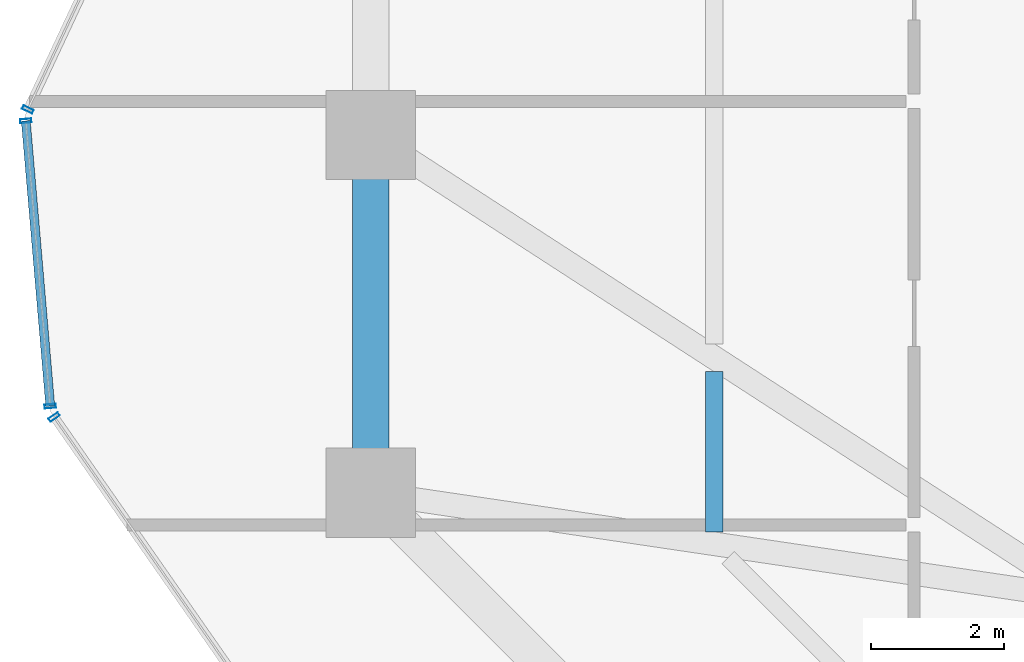
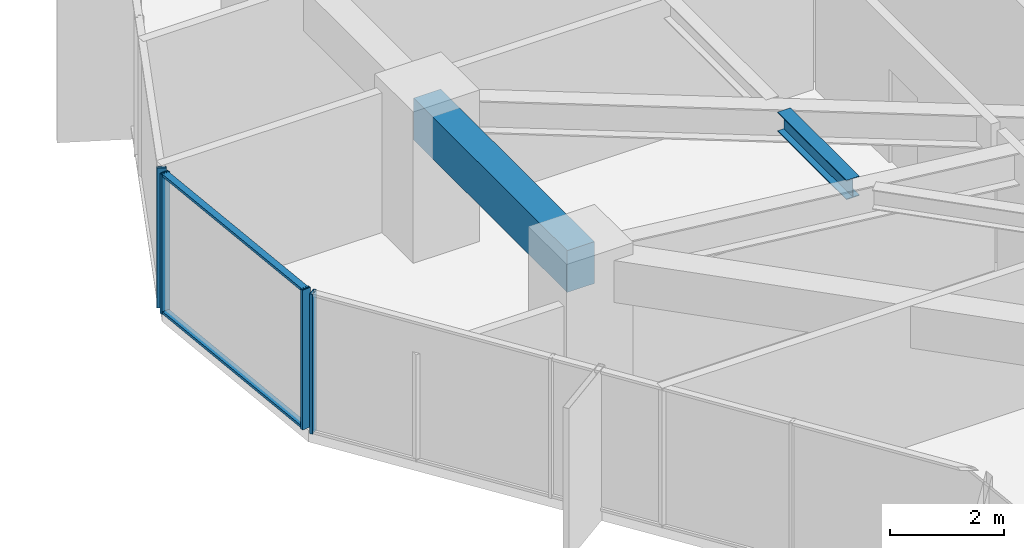
# One storey, part 10 of 37: 6 members, 2 beams, 3 elements without a shape of their own.
"""IFC4 building model written with IfcOpenShell, lengths in metres."""

from ifc_helpers import new_model, si_unit, direction, frame, origin, origin_2d, place, context, subcontext, project, spatial, rectangle, hollow_rectangle, i_section, extrude, source, transform, mapped, material, layer, layer_set, material_profile, profile_set, type_object, element, aggregate, save


model = new_model("IFC4")

# Units and contexts
model_context = context("Model", 3, precision=1e-05, world=origin(), true_north=direction((0.0, 1.0)))
body_context = subcontext(model_context, "Body", "Model", "MODEL_VIEW")
ifc_project = project(units=[si_unit("LENGTHUNIT", "METRE"), si_unit("AREAUNIT", "SQUARE_METRE"), si_unit("VOLUMEUNIT", "CUBIC_METRE"), si_unit("PLANEANGLEUNIT", "RADIAN"), si_unit("MASSUNIT", "GRAM", prefix="KILO")], contexts=[model_context])

# Site, building, storey
site_placement = place(None, origin())
site = spatial("IfcSite", under=ifc_project, at=site_placement, CompositionType="ELEMENT")
building_placement = place(site_placement, origin())
building = spatial("IfcBuilding", under=site, at=building_placement, Name="Veraguas Prism Commons", CompositionType="ELEMENT")
storey_placement = place(building_placement, frame((0.0, 0.0, 40.300048828125)))
storey = spatial("IfcBuildingStorey", under=building, at=storey_placement, Name="L10", CompositionType="ELEMENT", Elevation=40.300048828125)

# Beams
ifc_material_1 = material(Name="Steel ASTM A992 Grade 50", Category="steel")
ifc_material_profile_1 = material_profile(ifc_material_1, i_section(OverallWidth=0.260986328125, OverallDepth=0.419921875, WebThickness=0.01171875, FlangeThickness=0.019287109375, at=origin_2d()), Name="W410X114")
ifc_profile_set_1 = profile_set([ifc_material_profile_1], Name="Steel ASTM A992 Grade 50")
beam_type_1 = type_object("IfcBeamType", Name="Lower Floor Joist W410x114", PredefinedType="JOIST", material=ifc_profile_set_1)
beam_1_placement = place(storey_placement, frame((11.583984375, 20.430419921875, 2.7900390625), z_axis=(0.0, -1.0, 0.0), x_axis=(1.0, 0.0, 0.0)))
element("IfcBeam", 1, at=beam_1_placement, inside=storey, type_object=beam_type_1, Name="Composite Floor Joist L10-JS08", PredefinedType="JOIST", context=body_context, shape_type="SweptSolid", body=[
    extrude(i_section(OverallWidth=0.260986328125, OverallDepth=0.419921875, WebThickness=0.01171875, FlangeThickness=0.019287109375, at=origin_2d()), origin(), (0.0, 0.0, 1.0), 2.42041015625),
])
ifc_material_2 = material(Name="Concrete C50/60", Category="concrete")
ifc_material_profile_2 = material_profile(ifc_material_2, rectangle(XDim=0.550048828125, YDim=0.89990234375, at=origin_2d()), Name="RC550X900")
ifc_profile_set_2 = profile_set([ifc_material_profile_2], Name="Concrete C50/60")
beam_type_2 = type_object("IfcBeamType", Name="Perimeter Spandrel Lower RC 550x900", PredefinedType="SPANDREL", material=ifc_profile_set_2)
beam_2_placement = place(storey_placement, frame((6.39990234375, 24.0, 2.550048828125), z_axis=(0.0, -1.0, 0.0), x_axis=(1.0, 0.0, 0.0)))
element("IfcBeam", 2, at=beam_2_placement, inside=storey, type_object=beam_type_2, Name="Perimeter Spandrel Beam L10-SP08", PredefinedType="SPANDREL", context=body_context, shape_type="SweptSolid", body=[
    extrude(rectangle(XDim=0.550048828125, YDim=0.89990234375, at=origin_2d()), origin(), (0.0, 0.0, 1.0), 5.39990234375),
])

# Curtain wall, members
ifc_material_3 = material(Name="Anodised aluminium EN AW-6063 T6", Category="aluminium")
ifc_layer = layer(ifc_material_3, 0.169921875, Name="Unitised Flush Curtain Wall Zone 1", Category="aluminium")
ifc_layer_set = layer_set([ifc_layer], Name="Anodised aluminium EN AW-6063 T6")
curtain_wall_type = type_object("IfcCurtainWallType", Name="Unitised Flush Curtain Wall Zone 1", PredefinedType="NOTDEFINED", material=ifc_layer_set)
curtain_wall_1_placement = place(storey_placement, origin())
curtain_wall_1 = element("IfcCurtainWall", 3, at=curtain_wall_1_placement, inside=storey, type_object=curtain_wall_type, Name="Chamfer Curtain Wall L10-C4", PredefinedType="NOTDEFINED")
ifc_material_profile_3 = material_profile(ifc_material_3, hollow_rectangle(XDim=0.054931640625, YDim=0.135009765625, WallThickness=0.0029296875, at=origin_2d()), Name="AL55X135X3")
ifc_profile_set_3 = profile_set([ifc_material_profile_3], Name="Anodised aluminium EN AW-6063 T6")
member_type_1 = type_object("IfcMemberType", Name="Curtain Wall Transom Standard AL 55x135x3", PredefinedType="USERDEFINED", material=ifc_profile_set_3)
shared_shape_1 = source(origin(), body_context, "Body", "SweptSolid", [
    extrude(hollow_rectangle(XDim=0.054931640625, YDim=0.135009765625, WallThickness=0.0029296875, at=origin_2d()), origin(), (0.0, 0.0, 1.0), 4.31982421875),
])
member_1_placement = place(storey_placement, frame((1.197509765625, 24.212890625, 0.02734375), z_axis=(0.085454040247, -0.996342113436, 0.0), x_axis=(0.0, 0.0, 1.0)))
member_1 = element("IfcMember", 4, at=member_1_placement, type_object=member_type_1, Name="CW-Z1 Transom 1", ObjectType="TRANSOM", PredefinedType="USERDEFINED", context=body_context, shape_type="MappedRepresentation", body=[
    mapped(shared_shape_1, transform((0.0, 0.0, 0.0), scale=1.0)),
])
member_2_placement = place(storey_placement, frame((1.197509765625, 24.212890625, 2.972412109375), z_axis=(0.085454040247, -0.996342113436, 0.0), x_axis=(0.0, 0.0, 1.0)))
member_2 = element("IfcMember", 5, at=member_2_placement, type_object=member_type_1, Name="CW-Z1 Transom 2", ObjectType="TRANSOM", PredefinedType="USERDEFINED", context=body_context, shape_type="MappedRepresentation", body=[
    mapped(shared_shape_1, transform((0.0, 0.0, 0.0), scale=1.0)),
])

# Curtain wall, member
curtain_wall_2_placement = place(storey_placement, origin())
curtain_wall_2 = element("IfcCurtainWall", 6, at=curtain_wall_2_placement, inside=storey, type_object=curtain_wall_type, Name="Tower Facade Curtain Wall L10-F3", PredefinedType="NOTDEFINED")
ifc_material_profile_4 = material_profile(ifc_material_3, hollow_rectangle(XDim=0.06005859375, YDim=0.169921875, WallThickness=0.00390625, at=origin_2d()), Name="AL60X170X4")
ifc_profile_set_4 = profile_set([ifc_material_profile_4], Name="Anodised aluminium EN AW-6063 T6")
member_type_2 = type_object("IfcMemberType", Name="Curtain Wall Mullion Lower AL 60x170x4", PredefinedType="MULLION", material=ifc_profile_set_4)
shared_shape_2 = source(origin(), body_context, "Body", "SweptSolid", [
    extrude(hollow_rectangle(XDim=0.06005859375, YDim=0.169921875, WallThickness=0.00390625, at=origin_2d()), origin(), (0.0, 0.0, 1.0), 3.0),
])
member_3_placement = place(storey_placement, frame((1.22802734375, 24.38427734375, 0.0), z_axis=(0.0, 0.0, 1.0), x_axis=(-0.424194681192, -0.905571020102, 0.0)))
member_3 = element("IfcMember", 7, at=member_3_placement, type_object=member_type_2, Name="CW-Z1 Mullion 5", PredefinedType="MULLION", context=body_context, shape_type="MappedRepresentation", body=[
    mapped(shared_shape_2, transform((0.0, 0.0, 0.0), scale=1.0)),
])
aggregate(curtain_wall_2, [member_3])

curtain_wall_3_placement = place(storey_placement, origin())
curtain_wall_3 = element("IfcCurtainWall", 8, at=curtain_wall_3_placement, inside=storey, type_object=curtain_wall_type, Name="Tower Facade Curtain Wall L10-F4", PredefinedType="NOTDEFINED")
member_4_placement = place(storey_placement, frame((1.625732421875, 19.745361328125, 0.0), z_axis=(0.0, 0.0, 1.0), x_axis=(0.572145873446, -0.820151875874, 0.0)))
member_4 = element("IfcMember", 9, at=member_4_placement, type_object=member_type_2, Name="CW-Z1 Mullion 1", PredefinedType="MULLION", context=body_context, shape_type="MappedRepresentation", body=[
    mapped(shared_shape_2, transform((0.0, 0.0, 0.0), scale=1.0)),
])
aggregate(curtain_wall_3, [member_4])

# Member
member_5_placement = place(storey_placement, frame((1.197509765625, 24.212890625, 0.0), z_axis=(0.0, 0.0, 1.0), x_axis=(0.085436051578, -0.99634365612, 0.0)))
member_5 = element("IfcMember", 10, at=member_5_placement, type_object=member_type_2, Name="CW-Z1 Mullion 1", PredefinedType="MULLION", context=body_context, shape_type="MappedRepresentation", body=[
    mapped(shared_shape_2, transform((0.0, 0.0, 0.0), scale=1.0)),
])

member_6_placement = place(storey_placement, frame((1.566650390625, 19.908935546875, 0.0), z_axis=(0.0, 0.0, 1.0), x_axis=(0.085436051578, -0.99634365612, 0.0)))
member_6 = element("IfcMember", 11, at=member_6_placement, type_object=member_type_2, Name="CW-Z1 Mullion 2", PredefinedType="MULLION", context=body_context, shape_type="MappedRepresentation", body=[
    mapped(shared_shape_2, transform((0.0, 0.0, 0.0), scale=1.0)),
])

aggregate(curtain_wall_1, [member_5, member_6, member_1, member_2])

save(model, "model.ifc")
